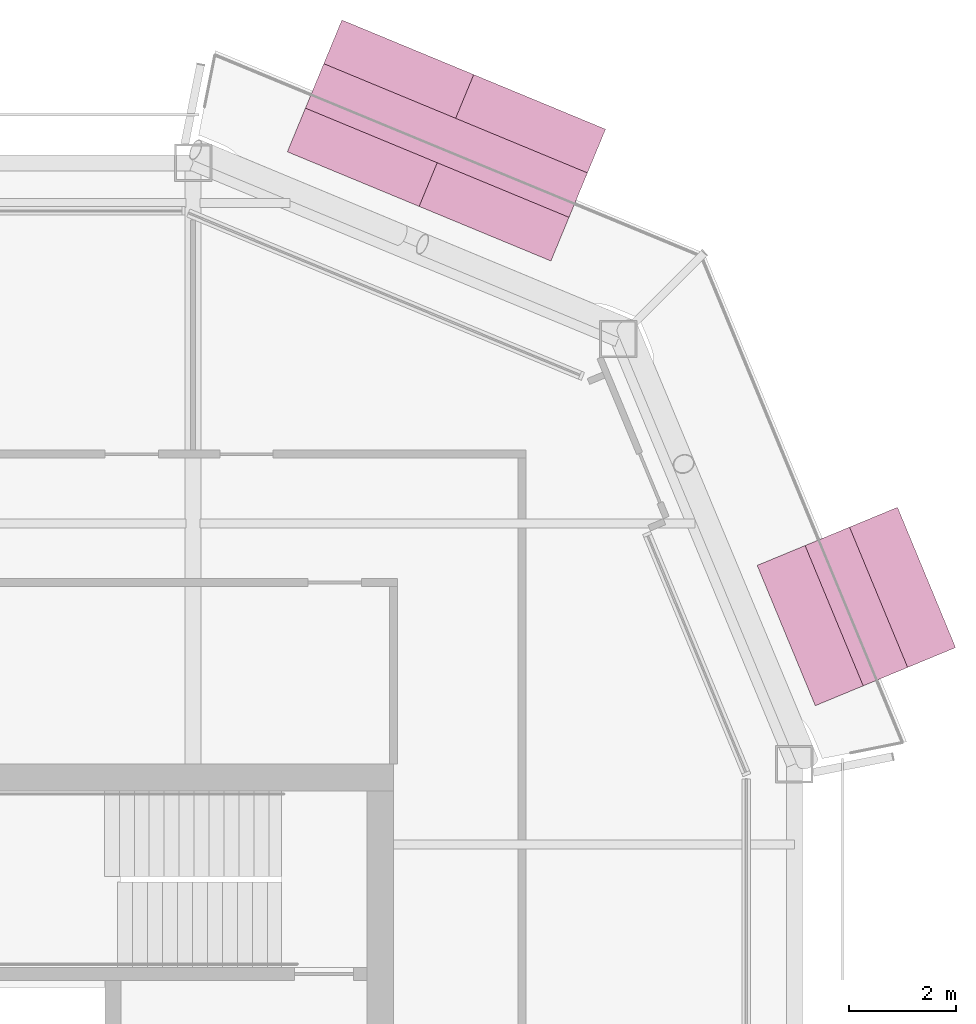
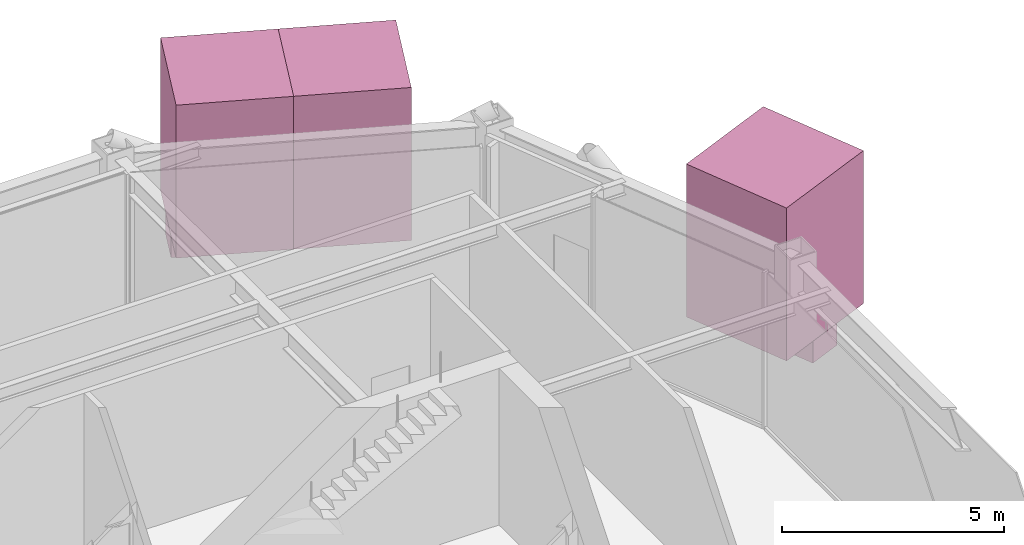
# One storey, part 21 of 21: 5 furnishings.
"""IFC4 building model written with IfcOpenShell, lengths in metres."""

from ifc_helpers import new_model, si_unit, direction, frame, origin, origin_2d, place, context, subcontext, project, spatial, rectangle, extrude, material, type_object, element, save


model = new_model("IFC4")

# Units and contexts
model_context = context("Model", 3, precision=1e-05, world=origin(), true_north=direction((0.0, 1.0)))
body_context = subcontext(model_context, "Body", "Model", "MODEL_VIEW")
ifc_project = project(units=[si_unit("LENGTHUNIT", "METRE"), si_unit("AREAUNIT", "SQUARE_METRE"), si_unit("VOLUMEUNIT", "CUBIC_METRE"), si_unit("PLANEANGLEUNIT", "RADIAN"), si_unit("MASSUNIT", "GRAM", prefix="KILO")], contexts=[model_context])

# Site, building, storey
site_placement = place(None, origin())
site = spatial("IfcSite", under=ifc_project, at=site_placement, CompositionType="ELEMENT")
building_placement = place(site_placement, origin())
building = spatial("IfcBuilding", under=site, at=building_placement, Name="Siwar Civic Tower", CompositionType="ELEMENT")
storey_placement = place(building_placement, frame((0.0, 0.0, 343.699951171875)))
storey = spatial("IfcBuildingStorey", under=building, at=storey_placement, Name="L74", CompositionType="ELEMENT", Elevation=343.699951171875)

# Furnishings
ifc_material_1 = material(Name="Planting soil and foliage")
furnishing_element_type_1 = type_object("IfcFurnishingElementType", Name="ENV-PLANTER", material=ifc_material_1)
furnishing_1_placement = place(storey_placement, frame((25.909423828125, 16.449951171875, 0.0), z_axis=(0.0, 0.0, 1.0), x_axis=(-0.382683432365, 0.923879532511, 0.0)))
element("IfcFurnishingElement", 1, at=furnishing_1_placement, inside=storey, type_object=furnishing_element_type_1, Name="PLANTER NE 1", context=body_context, shape_type="SweptSolid", body=[
    extrude(rectangle(XDim=2.84130859375, YDim=0.89990234375, at=origin_2d()), origin(), (0.0, 0.0, 1.0), 0.60009765625),
])
furnishing_2_placement = place(storey_placement, frame((18.23974609375, 25.16796875, 0.0), z_axis=(0.0, 0.0, 1.0), x_axis=(-0.923879532511, 0.382683432365, 0.0)))
element("IfcFurnishingElement", 2, at=furnishing_2_placement, inside=storey, type_object=furnishing_element_type_1, Name="PLANTER NE 2", context=body_context, shape_type="SweptSolid", body=[
    extrude(rectangle(XDim=5.33837890625, YDim=0.89990234375, at=origin_2d()), origin(), (0.0, 0.0, 1.0), 0.60009765625),
])
ifc_material_2 = material(Name="Planting soil and foliage")
furnishing_element_type_2 = type_object("IfcFurnishingElementType", Name="ENV-TREE", material=ifc_material_2)
furnishing_3_placement = place(storey_placement, frame((25.909423828125, 16.449951171875, 0.60009765625), z_axis=(0.0, 0.0, 1.0), x_axis=(-0.382683432365, 0.923879532511, 0.0)))
element("IfcFurnishingElement", 3, at=furnishing_3_placement, inside=storey, type_object=furnishing_element_type_2, Name="PLANTER (TREE) NE 1.1", context=body_context, shape_type="SweptSolid", body=[
    extrude(rectangle(XDim=2.84130859375, YDim=2.84130859375, at=origin_2d()), origin(), (0.0, 0.0, 1.0), 4.199951171875),
])
for number, where, z_axis, x_axis, name in (
    (4, (19.472900390625, 24.6572265625, 0.60009765625), (0.0, 0.0, 1.0), (-0.923879532511, 0.382683432365, 0.0), "PLANTER (TREE) NE 2.1"),
    (5, (17.0068359375, 25.6787109375, 0.60009765625), (0.0, 0.0, 1.0), (-0.923879532511, 0.382683432365, 0.0), "PLANTER (TREE) NE 2.2"),
):
    element("IfcFurnishingElement", number, at=place(storey_placement, frame(where, z_axis=z_axis, x_axis=x_axis)), inside=storey, type_object=furnishing_element_type_2, Name=name, context=body_context, shape_type="SweptSolid", body=[
        extrude(rectangle(XDim=2.669189453125, YDim=2.669189453125, at=origin_2d()), origin(), (0.0, 0.0, 1.0), 4.199951171875),
    ])

save(model, "model.ifc")
